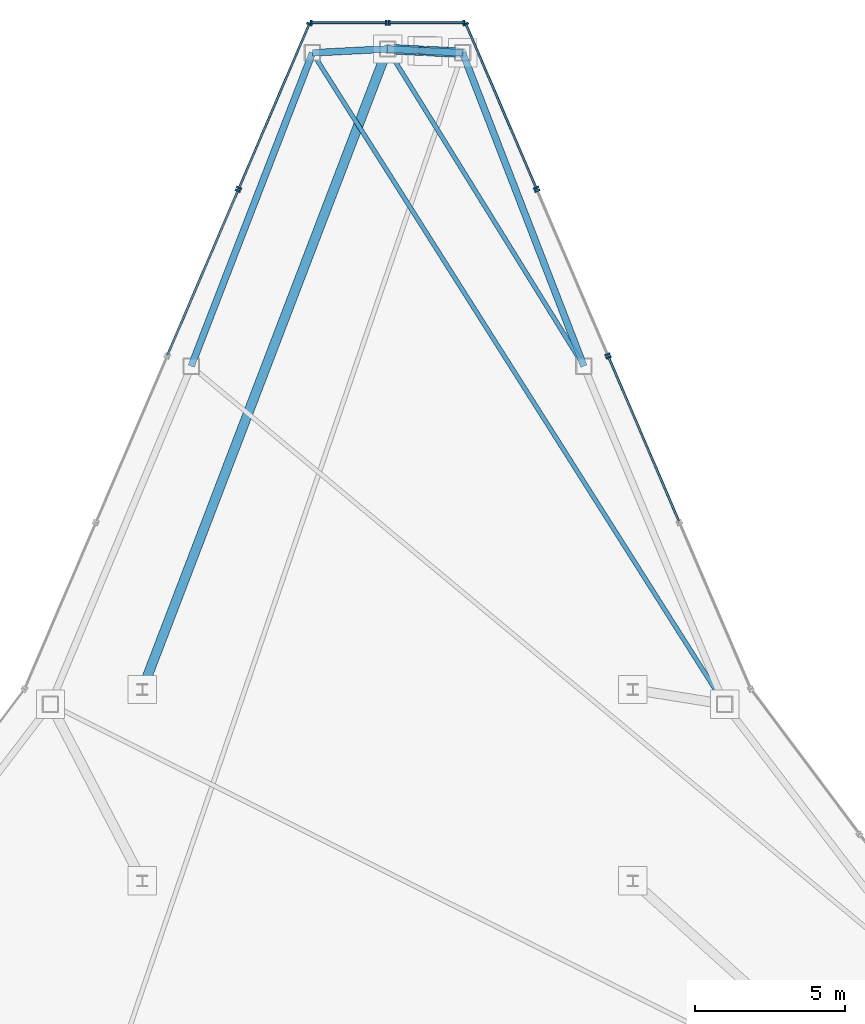
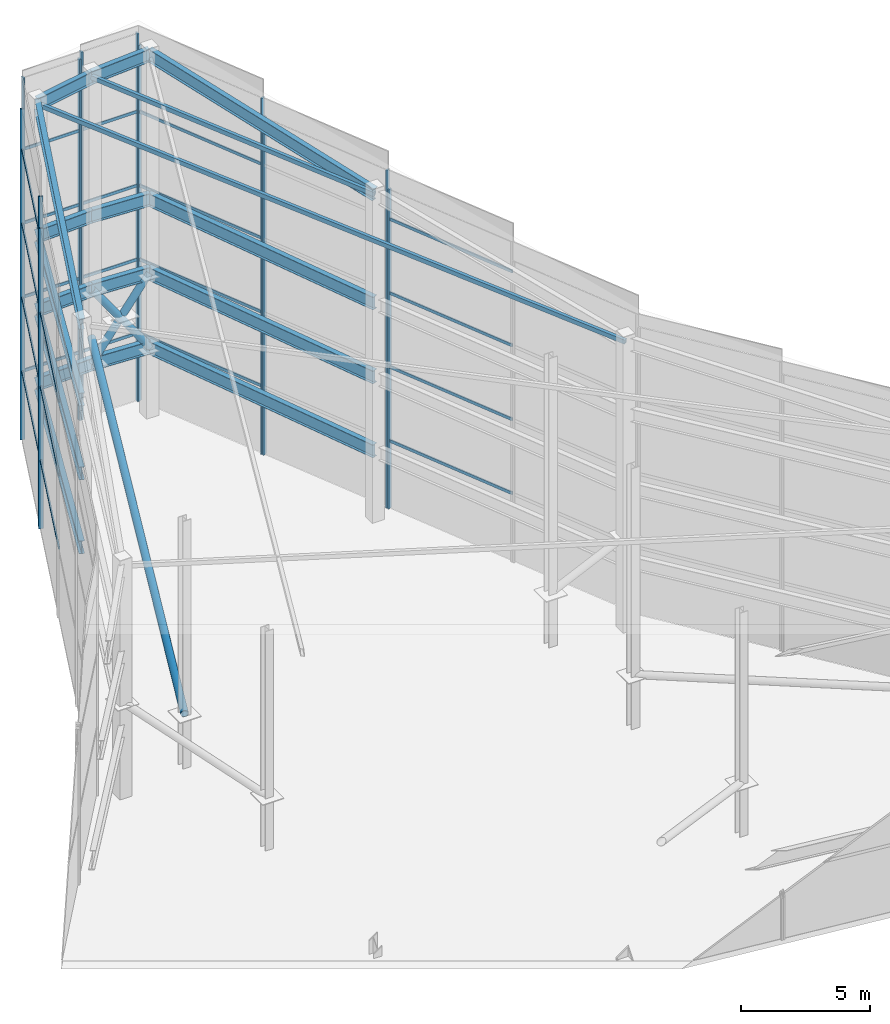
# One storey, part 13 of 17: 41 members, 16 beams, 7 elements without a shape of their own.
"""IFC4 building model written with IfcOpenShell, lengths in metres."""

from ifc_helpers import new_model, si_unit, direction, frame, origin, origin_2d, place, context, subcontext, project, spatial, rectangle, hollow_rectangle, hollow_circle, i_section, extrude, source, transform, mapped, material, layer, layer_set, material_profile, profile_set, type_object, type_shapes, element, aggregate, save


model = new_model("IFC4")

# Units and contexts
model_context = context("Model", 3, precision=1e-05, world=origin(), true_north=direction((0.0, 1.0)))
body_context = subcontext(model_context, "Body", "Model", "MODEL_VIEW")
ifc_project = project(units=[si_unit("LENGTHUNIT", "METRE"), si_unit("AREAUNIT", "SQUARE_METRE"), si_unit("VOLUMEUNIT", "CUBIC_METRE"), si_unit("PLANEANGLEUNIT", "RADIAN"), si_unit("MASSUNIT", "GRAM", prefix="KILO")], contexts=[model_context])

# Site, building, storey
site_placement = place(None, origin())
site = spatial("IfcSite", under=ifc_project, at=site_placement, CompositionType="ELEMENT")
building_placement = place(site_placement, origin())
building = spatial("IfcBuilding", under=site, at=building_placement, Name="Varakhsha Concourse Tower", CompositionType="ELEMENT")
storey_placement = place(building_placement, frame((0.0, 0.0, 294.800048828125)))
storey = spatial("IfcBuildingStorey", under=building, at=storey_placement, Name="RF", CompositionType="ELEMENT", Elevation=294.800048828125)

# Beams
ifc_material_1 = material(Name="Structural Steel ASTM A992 Grade 50", Category="steel")
ifc_material_profile_1 = material_profile(ifc_material_1, i_section(OverallWidth=0.22900390625, OverallDepth=0.612060546875, WebThickness=0.011962890625, FlangeThickness=0.02001953125, at=origin_2d()), Name="W24X84")
ifc_profile_set_1 = profile_set([ifc_material_profile_1], Name="Structural Steel ASTM A992 Grade 50")
beam_type = type_object("IfcBeamType", Name="BM-CROWN-W24X84", PredefinedType="BEAM", material=ifc_profile_set_1)
beam_1_placement = place(storey_placement, frame((42.510498046875, 52.48876953125, 17.03955078125), z_axis=(-0.992795651794, 0.05059077327, -0.108615686888), x_axis=(-0.050891858889, -0.998704169761, 0.0)))
element("IfcBeam", 1, at=beam_1_placement, inside=storey, type_object=beam_type, Name="Crown Frame Sloped Cap Ring 01", PredefinedType="BEAM", context=body_context, shape_type="SweptSolid", body=[
    extrude(i_section(OverallWidth=0.22900390625, OverallDepth=0.612060546875, WebThickness=0.011962890625, FlangeThickness=0.02001953125, at=origin_2d()), origin(), (0.0, 0.0, 1.0), 2.52880859375),
])
for number, where, z_axis, x_axis, name in (
    (2, (42.510498046875, 52.48876953125, 3.199951171875), (-0.998704169761, 0.050891858889, 0.0), (-0.050891858889, -0.998704169761, 0.0), "Crown Frame Ring Tier 1 01"),
    (3, (42.510498046875, 52.48876953125, 6.699951171875), (-0.998704169761, 0.050891858889, 0.0), (-0.050891858889, -0.998704169761, 0.0), "Crown Frame Ring Tier 2 01"),
    (4, (42.510498046875, 52.48876953125, 10.199951171875), (-0.998704169761, 0.050891858889, 0.0), (-0.050891858889, -0.998704169761, 0.0), "Crown Frame Ring Tier 3 01"),
):
    element("IfcBeam", number, at=place(storey_placement, frame(where, z_axis=z_axis, x_axis=x_axis)), inside=storey, type_object=beam_type, Name=name, PredefinedType="BEAM", context=body_context, shape_type="SweptSolid", body=[
        extrude(i_section(OverallWidth=0.22900390625, OverallDepth=0.612060546875, WebThickness=0.011962890625, FlangeThickness=0.02001953125, at=origin_2d()), origin(), (0.0, 0.0, 1.0), 2.513671875),
    ])
beam_2_placement = place(storey_placement, frame((40.0, 52.61669921875, 16.764892578125), z_axis=(-0.990315479835, -0.050464388936, -0.129339073171), x_axis=(0.050891858889, -0.998704169761, 0.0)))
element("IfcBeam", 5, at=beam_2_placement, inside=storey, type_object=beam_type, Name="Crown Frame Sloped Cap Ring 02", PredefinedType="BEAM", context=body_context, shape_type="SweptSolid", body=[
    extrude(i_section(OverallWidth=0.22900390625, OverallDepth=0.612060546875, WebThickness=0.011962890625, FlangeThickness=0.02001953125, at=origin_2d()), origin(), (0.0, 0.0, 1.0), 2.53515625),
])
for number, where, z_axis, x_axis, name in (
    (6, (40.0, 52.61669921875, 3.199951171875), (-0.998704169761, -0.050891858889, 0.0), (0.050891858889, -0.998704169761, 0.0), "Crown Frame Ring Tier 1 02"),
    (7, (40.0, 52.61669921875, 6.699951171875), (-0.998704169761, -0.050891858889, 0.0), (0.050891858889, -0.998704169761, 0.0), "Crown Frame Ring Tier 2 02"),
    (8, (40.0, 52.61669921875, 10.199951171875), (-0.998704169761, -0.050891858889, 0.0), (0.050891858889, -0.998704169761, 0.0), "Crown Frame Ring Tier 3 02"),
):
    element("IfcBeam", number, at=place(storey_placement, frame(where, z_axis=z_axis, x_axis=x_axis)), inside=storey, type_object=beam_type, Name=name, PredefinedType="BEAM", context=body_context, shape_type="SweptSolid", body=[
        extrude(i_section(OverallWidth=0.22900390625, OverallDepth=0.612060546875, WebThickness=0.011962890625, FlangeThickness=0.02001953125, at=origin_2d()), origin(), (0.0, 0.0, 1.0), 2.513671875),
    ])
beam_3_placement = place(storey_placement, frame((37.489501953125, 52.48876953125, 16.43701171875), z_axis=(-0.351063721323, -0.907455432361, -0.230822229971), x_axis=(0.93264051327, -0.360806974722, 0.0)))
element("IfcBeam", 9, at=beam_3_placement, inside=storey, type_object=beam_type, Name="Crown Frame Sloped Cap Ring 03", PredefinedType="BEAM", context=body_context, shape_type="SweptSolid", body=[
    extrude(i_section(OverallWidth=0.22900390625, OverallDepth=0.612060546875, WebThickness=0.011962890625, FlangeThickness=0.02001953125, at=origin_2d()), origin(), (0.0, 0.0, 1.0), 11.549072265625),
])
for number, where, z_axis, x_axis, name in (
    (10, (37.489501953125, 52.48876953125, 3.199951171875), (-0.360806974722, -0.93264051327, 0.0), (0.93264051327, -0.360806974722, 0.0), "Crown Frame Ring Tier 1 03"),
    (11, (37.489501953125, 52.48876953125, 6.699951171875), (-0.360806974722, -0.93264051327, 0.0), (0.93264051327, -0.360806974722, 0.0), "Crown Frame Ring Tier 2 03"),
    (12, (37.489501953125, 52.48876953125, 10.199951171875), (-0.360806974722, -0.93264051327, 0.0), (0.93264051327, -0.360806974722, 0.0), "Crown Frame Ring Tier 3 03"),
):
    element("IfcBeam", number, at=place(storey_placement, frame(where, z_axis=z_axis, x_axis=x_axis)), inside=storey, type_object=beam_type, Name=name, PredefinedType="BEAM", context=body_context, shape_type="SweptSolid", body=[
        extrude(i_section(OverallWidth=0.22900390625, OverallDepth=0.612060546875, WebThickness=0.011962890625, FlangeThickness=0.02001953125, at=origin_2d()), origin(), (0.0, 0.0, 1.0), 11.237060546875),
    ])
beam_4_placement = place(storey_placement, frame((46.56494140625, 42.008544921875, 15.347412109375), z_axis=(-0.356784494185, 0.922242908525, 0.148905481375), x_axis=(-0.93264051327, -0.360806974722, 0.0)))
element("IfcBeam", 13, at=beam_4_placement, inside=storey, type_object=beam_type, Name="Crown Frame Sloped Cap Ring 18", PredefinedType="BEAM", context=body_context, shape_type="SweptSolid", body=[
    extrude(i_section(OverallWidth=0.22900390625, OverallDepth=0.612060546875, WebThickness=0.011962890625, FlangeThickness=0.02001953125, at=origin_2d()), origin(), (0.0, 0.0, 1.0), 11.36376953125),
])
for number, where, z_axis, x_axis, name in (
    (14, (46.56494140625, 42.008544921875, 3.199951171875), (-0.360806974722, 0.93264051327, 0.0), (-0.93264051327, -0.360806974722, 0.0), "Crown Frame Ring Tier 1 18"),
    (15, (46.56494140625, 42.008544921875, 6.699951171875), (-0.360806974722, 0.93264051327, 0.0), (-0.93264051327, -0.360806974722, 0.0), "Crown Frame Ring Tier 2 18"),
    (16, (46.56494140625, 42.008544921875, 10.199951171875), (-0.360806974722, 0.93264051327, 0.0), (-0.93264051327, -0.360806974722, 0.0), "Crown Frame Ring Tier 3 18"),
):
    element("IfcBeam", number, at=place(storey_placement, frame(where, z_axis=z_axis, x_axis=x_axis)), inside=storey, type_object=beam_type, Name=name, PredefinedType="BEAM", context=body_context, shape_type="SweptSolid", body=[
        extrude(i_section(OverallWidth=0.22900390625, OverallDepth=0.612060546875, WebThickness=0.011962890625, FlangeThickness=0.02001953125, at=origin_2d()), origin(), (0.0, 0.0, 1.0), 11.237060546875),
    ])

# Members
ifc_material_2 = material(Name="Structural Steel ASTM A500 Grade C", Category="steel")
ifc_material_profile_2 = material_profile(ifc_material_2, hollow_circle(Radius=0.162109375, WallThickness=0.013916015625, at=origin_2d()), Name="CHS 324x14")
ifc_profile_set_2 = profile_set([ifc_material_profile_2], Name="Structural Steel ASTM A500 Grade C")
member_type_1 = type_object("IfcMemberType", Name="MB-CROWN-CHS324", PredefinedType="BRACE", material=ifc_profile_set_2)
shared_shape_1 = source(origin(), body_context, "Body", "SweptSolid", [
    extrude(hollow_circle(Radius=0.162109375, WallThickness=0.013916015625, at=origin_2d()), origin(), (0.0, 0.0, 1.0), 23.015625),
])
member_1_placement = place(storey_placement, frame((31.800048828125, 31.199951171875, 2.449951171875), z_axis=(0.356277710399, 0.93053114566, 0.08472296046), x_axis=(-0.933888899922, 0.357563312719, 0.0)))
element("IfcMember", 17, at=member_1_placement, inside=storey, type_object=member_type_1, Name="Crown Frame Radial Wind Brace CB05", PredefinedType="BRACE", context=body_context, shape_type="MappedRepresentation", body=[
    mapped(shared_shape_1, transform((0.0, 0.0, 0.0), scale=1.0)),
])
shared_shape_2 = source(origin(), body_context, "Body", "SweptSolid", [
    extrude(hollow_circle(Radius=0.162109375, WallThickness=0.013916015625, at=origin_2d()), origin(), (0.0, 0.0, 1.0), 4.30908203125),
])
member_2_placement = place(storey_placement, frame((42.510498046875, 52.48876953125, 3.199951171875), z_axis=(-0.582594019404, 0.029687762926, 0.812220933791), x_axis=(-0.050891858889, -0.998704169761, 0.0)))
element("IfcMember", 18, at=member_2_placement, inside=storey, type_object=member_type_1, Name="Crown Frame Continuous X-Brace Diagonal", PredefinedType="BRACE", context=body_context, shape_type="MappedRepresentation", body=[
    mapped(shared_shape_2, transform((0.0, 0.0, 0.0), scale=1.0)),
])
shared_shape_3 = source(origin(), body_context, "Body", "SweptSolid", [
    extrude(hollow_circle(Radius=0.162109375, WallThickness=0.013916015625, at=origin_2d()), origin(), (0.0, 0.0, 1.0), 1.989501953125),
])
type_shapes(member_type_1, [shared_shape_1, shared_shape_2, shared_shape_3])
for number, where, z_axis, x_axis, name in (
    (19, (40.0, 52.61669921875, 3.199951171875), (0.582617348293, -0.029695323986, 0.81220392341), (0.050902753731, 0.998703614524, 0.0), "Crown Frame Split X-Brace Lower Segment"),
    (20, (41.351318359375, 52.5478515625, 5.083984375), (0.582617348293, -0.029695323986, 0.81220392341), (0.050902753731, 0.998703614524, 0.0), "Crown Frame Split X-Brace Upper Segment"),
):
    element("IfcMember", number, at=place(storey_placement, frame(where, z_axis=z_axis, x_axis=x_axis)), inside=storey, type_object=member_type_1, Name=name, PredefinedType="BRACE", context=body_context, shape_type="MappedRepresentation", body=[
        mapped(shared_shape_3, transform((0.0, 0.0, 0.0), scale=1.0)),
    ])
ifc_material_profile_3 = material_profile(ifc_material_2, hollow_rectangle(XDim=0.14990234375, YDim=0.199951171875, WallThickness=0.010009765625, at=origin_2d()), Name="HSS 200x150x10")
ifc_profile_set_3 = profile_set([ifc_material_profile_3], Name="Structural Steel ASTM A500 Grade C")
member_type_2 = type_object("IfcMemberType", Name="MB-CROWN-PURLIN", PredefinedType="PURLIN", material=ifc_profile_set_3)
shared_shape_4 = source(origin(), body_context, "Body", "SweptSolid", [
    extrude(hollow_rectangle(XDim=0.14990234375, YDim=0.199951171875, WallThickness=0.010009765625, at=origin_2d()), origin(), (0.0, 0.0, 1.0), 12.555419921875),
])
member_3_placement = place(storey_placement, frame((40.0, 52.61669921875, 16.764892578125), z_axis=(0.522873647091, -0.844900812188, -0.112897151172), x_axis=(0.850337291147, 0.526238055717, 0.0)))
element("IfcMember", 21, at=member_3_placement, inside=storey, type_object=member_type_2, Name="Slanted Crown Roof Purlin PR01", PredefinedType="PURLIN", context=body_context, shape_type="MappedRepresentation", body=[
    mapped(shared_shape_4, transform((0.0, 0.0, 0.0), scale=1.0)),
])
shared_shape_5 = source(origin(), body_context, "Body", "SweptSolid", [
    extrude(hollow_rectangle(XDim=0.14990234375, YDim=0.199951171875, WallThickness=0.010009765625, at=origin_2d()), origin(), (0.0, 0.0, 1.0), 25.934814453125),
])
type_shapes(member_type_2, [shared_shape_4, shared_shape_5])
member_4_placement = place(storey_placement, frame((37.489501953125, 52.48876953125, 16.43701171875), z_axis=(0.531396786864, -0.839842262832, -0.110826118189), x_axis=(0.845047917035, 0.534690581472, 0.0)))
element("IfcMember", 22, at=member_4_placement, inside=storey, type_object=member_type_2, Name="Slanted Crown Roof Purlin PR02", PredefinedType="PURLIN", context=body_context, shape_type="MappedRepresentation", body=[
    mapped(shared_shape_5, transform((0.0, 0.0, 0.0), scale=1.0)),
])

# Curtain wall, members
ifc_material_3 = material(Name="Anodised Bronze Architectural Aluminium AA 6063-T6", Category="aluminium")
ifc_layer = layer(ifc_material_3, 0.219970703125, Name="CW-SYS-07")
ifc_layer_set = layer_set([ifc_layer], Name="Anodised Bronze Architectural Aluminium AA 6063-T6")
curtain_wall_type = type_object("IfcCurtainWallType", Name="CW-SYS-07", PredefinedType="NOTDEFINED", material=ifc_layer_set)
curtain_wall_1_placement = place(storey_placement, origin())
curtain_wall_1 = element("IfcCurtainWall", 23, at=curtain_wall_1_placement, inside=storey, type_object=curtain_wall_type, Name="Slanted Crown Curtain Wall F1-S1", PredefinedType="NOTDEFINED")
ifc_material_profile_4 = material_profile(ifc_material_3, rectangle(XDim=0.06494140625, YDim=0.179931640625, at=origin_2d()), Name="CWM-180X65")
ifc_profile_set_4 = profile_set([ifc_material_profile_4], Name="Anodised Bronze Architectural Aluminium AA 6063-T6")
member_type_3 = type_object("IfcMemberType", Name="CWM-180X65", PredefinedType="MULLION", material=ifc_profile_set_4)
shared_shape_6 = source(origin(), body_context, "Body", "SweptSolid", [
    extrude(rectangle(XDim=0.06494140625, YDim=0.179931640625, at=origin_2d()), origin(), (0.0, 0.0, 1.0), 17.41796875),
])
member_5_placement = place(storey_placement, frame((40.050048828125, 53.49658203125, 0.0), z_axis=(0.0, 0.0, 1.0), x_axis=(1.0, 0.0, 0.0)))
member_5 = element("IfcMember", 24, at=member_5_placement, type_object=member_type_3, Name="CW-RF-F1S1 Mullion 00", PredefinedType="MULLION", context=body_context, shape_type="MappedRepresentation", body=[
    mapped(shared_shape_6, transform((0.0, 0.0, 0.0), scale=1.0)),
])
member_6_placement = place(storey_placement, frame((42.550048828125, 53.49658203125, 0.0), z_axis=(0.0, 0.0, 1.0), x_axis=(1.0, 0.0, 0.0)))
member_6 = element("IfcMember", 25, at=member_6_placement, type_object=member_type_3, Name="CW-RF-F1S1 Mullion 01", PredefinedType="MULLION", context=body_context, shape_type="MappedRepresentation", body=[
    mapped(shared_shape_6, transform((0.0, 0.0, 0.0), scale=1.0)),
])
ifc_material_profile_5 = material_profile(ifc_material_3, rectangle(XDim=0.06005859375, YDim=0.139892578125, at=origin_2d()), Name="CWT-140X60")
ifc_profile_set_5 = profile_set([ifc_material_profile_5], Name="Anodised Bronze Architectural Aluminium AA 6063-T6")
member_type_4 = type_object("IfcMemberType", Name="CWT-140X60", PredefinedType="USERDEFINED", material=ifc_profile_set_5)
shared_shape_7 = source(origin(), body_context, "Body", "SweptSolid", [
    extrude(rectangle(XDim=0.06005859375, YDim=0.139892578125, at=origin_2d()), origin(), (0.0, 0.0, 1.0), 2.5),
])
member_7_placement = place(storey_placement, frame((40.050048828125, 53.49658203125, 3.199951171875), z_axis=(1.0, 0.0, 0.0), x_axis=(0.0, 1.0, 0.0)))
member_7 = element("IfcMember", 26, at=member_7_placement, type_object=member_type_4, Name="CW-RF-F1S1 Transom 01", ObjectType="TRANSOM", PredefinedType="USERDEFINED", context=body_context, shape_type="MappedRepresentation", body=[
    mapped(shared_shape_7, transform((0.0, 0.0, 0.0), scale=1.0)),
])
member_8_placement = place(storey_placement, frame((40.050048828125, 53.49658203125, 6.699951171875), z_axis=(1.0, 0.0, 0.0), x_axis=(0.0, 1.0, 0.0)))
member_8 = element("IfcMember", 27, at=member_8_placement, type_object=member_type_4, Name="CW-RF-F1S1 Transom 02", ObjectType="TRANSOM", PredefinedType="USERDEFINED", context=body_context, shape_type="MappedRepresentation", body=[
    mapped(shared_shape_7, transform((0.0, 0.0, 0.0), scale=1.0)),
])
member_9_placement = place(storey_placement, frame((40.050048828125, 53.49658203125, 10.199951171875), z_axis=(1.0, 0.0, 0.0), x_axis=(0.0, 1.0, 0.0)))
member_9 = element("IfcMember", 28, at=member_9_placement, type_object=member_type_4, Name="CW-RF-F1S1 Transom 03", ObjectType="TRANSOM", PredefinedType="USERDEFINED", context=body_context, shape_type="MappedRepresentation", body=[
    mapped(shared_shape_7, transform((0.0, 0.0, 0.0), scale=1.0)),
])
member_10_placement = place(storey_placement, frame((40.050048828125, 53.49658203125, 13.699951171875), z_axis=(1.0, 0.0, 0.0), x_axis=(0.0, 1.0, 0.0)))
member_10 = element("IfcMember", 29, at=member_10_placement, type_object=member_type_4, Name="CW-RF-F1S1 Transom 04", ObjectType="TRANSOM", PredefinedType="USERDEFINED", context=body_context, shape_type="MappedRepresentation", body=[
    mapped(shared_shape_7, transform((0.0, 0.0, 0.0), scale=1.0)),
])
aggregate(curtain_wall_1, [member_5, member_6, member_7, member_8, member_9, member_10])

curtain_wall_2_placement = place(storey_placement, origin())
curtain_wall_2 = element("IfcCurtainWall", 30, at=curtain_wall_2_placement, inside=storey, type_object=curtain_wall_type, Name="Slanted Crown Curtain Wall F1-S2", PredefinedType="NOTDEFINED")
member_11_placement = place(storey_placement, frame((37.449951171875, 53.49658203125, 3.199951171875), z_axis=(1.0, 0.0, 0.0), x_axis=(0.0, 1.0, 0.0)))
member_11 = element("IfcMember", 31, at=member_11_placement, type_object=member_type_4, Name="CW-RF-F1S2 Transom 01", ObjectType="TRANSOM", PredefinedType="USERDEFINED", context=body_context, shape_type="MappedRepresentation", body=[
    mapped(shared_shape_7, transform((0.0, 0.0, 0.0), scale=1.0)),
])
member_12_placement = place(storey_placement, frame((37.449951171875, 53.49658203125, 6.699951171875), z_axis=(1.0, 0.0, 0.0), x_axis=(0.0, 1.0, 0.0)))
member_12 = element("IfcMember", 32, at=member_12_placement, type_object=member_type_4, Name="CW-RF-F1S2 Transom 02", ObjectType="TRANSOM", PredefinedType="USERDEFINED", context=body_context, shape_type="MappedRepresentation", body=[
    mapped(shared_shape_7, transform((0.0, 0.0, 0.0), scale=1.0)),
])
member_13_placement = place(storey_placement, frame((37.449951171875, 53.49658203125, 10.199951171875), z_axis=(1.0, 0.0, 0.0), x_axis=(0.0, 1.0, 0.0)))
member_13 = element("IfcMember", 33, at=member_13_placement, type_object=member_type_4, Name="CW-RF-F1S2 Transom 03", ObjectType="TRANSOM", PredefinedType="USERDEFINED", context=body_context, shape_type="MappedRepresentation", body=[
    mapped(shared_shape_7, transform((0.0, 0.0, 0.0), scale=1.0)),
])
member_14_placement = place(storey_placement, frame((37.449951171875, 53.49658203125, 13.699951171875), z_axis=(1.0, 0.0, 0.0), x_axis=(0.0, 1.0, 0.0)))
member_14 = element("IfcMember", 34, at=member_14_placement, type_object=member_type_4, Name="CW-RF-F1S2 Transom 04", ObjectType="TRANSOM", PredefinedType="USERDEFINED", context=body_context, shape_type="MappedRepresentation", body=[
    mapped(shared_shape_7, transform((0.0, 0.0, 0.0), scale=1.0)),
])
shared_shape_8 = source(origin(), body_context, "Body", "SweptSolid", [
    extrude(rectangle(XDim=0.06494140625, YDim=0.179931640625, at=origin_2d()), origin(), (0.0, 0.0, 1.0), 17.105712890625),
])
member_15_placement = place(storey_placement, frame((37.449951171875, 53.49658203125, 0.0), z_axis=(0.0, 0.0, 1.0), x_axis=(1.0, 0.0, 0.0)))
member_15 = element("IfcMember", 35, at=member_15_placement, type_object=member_type_3, Name="CW-RF-F1S2 Mullion 00", PredefinedType="MULLION", context=body_context, shape_type="MappedRepresentation", body=[
    mapped(shared_shape_8, transform((0.0, 0.0, 0.0), scale=1.0)),
])
member_16_placement = place(storey_placement, frame((39.949951171875, 53.49658203125, 0.0), z_axis=(0.0, 0.0, 1.0), x_axis=(1.0, 0.0, 0.0)))
member_16 = element("IfcMember", 36, at=member_16_placement, type_object=member_type_3, Name="CW-RF-F1S2 Mullion 01", PredefinedType="MULLION", context=body_context, shape_type="MappedRepresentation", body=[
    mapped(shared_shape_8, transform((0.0, 0.0, 0.0), scale=1.0)),
])
aggregate(curtain_wall_2, [member_15, member_16, member_11, member_12, member_13, member_14])

curtain_wall_3_placement = place(storey_placement, origin())
curtain_wall_3 = element("IfcCurtainWall", 37, at=curtain_wall_3_placement, inside=storey, type_object=curtain_wall_type, Name="Slanted Crown Curtain Wall F2-S1", PredefinedType="NOTDEFINED")
shared_shape_9 = source(origin(), body_context, "Body", "SweptSolid", [
    extrude(rectangle(XDim=0.06494140625, YDim=0.179931640625, at=origin_2d()), origin(), (0.0, 0.0, 1.0), 15.660888671875),
])
member_17_placement = place(storey_placement, frame((35.03271484375, 47.971923828125, 0.0), z_axis=(0.0, 0.0, 1.0), x_axis=(0.393840843001, 0.919178649874, 0.0)))
member_17 = element("IfcMember", 38, at=member_17_placement, type_object=member_type_3, Name="CW-RF-F2S1 Mullion 00", PredefinedType="MULLION", context=body_context, shape_type="MappedRepresentation", body=[
    mapped(shared_shape_9, transform((0.0, 0.0, 0.0), scale=1.0)),
])
member_18_placement = place(storey_placement, frame((37.38037109375, 53.45068359375, 0.0), z_axis=(0.0, 0.0, 1.0), x_axis=(0.393840843001, 0.919178649874, 0.0)))
member_18 = element("IfcMember", 39, at=member_18_placement, type_object=member_type_3, Name="CW-RF-F2S1 Mullion 01", PredefinedType="MULLION", context=body_context, shape_type="MappedRepresentation", body=[
    mapped(shared_shape_9, transform((0.0, 0.0, 0.0), scale=1.0)),
])
shared_shape_10 = source(origin(), body_context, "Body", "SweptSolid", [
    extrude(rectangle(XDim=0.06005859375, YDim=0.139892578125, at=origin_2d()), origin(), (0.0, 0.0, 1.0), 5.96044921875),
])
type_shapes(member_type_4, [shared_shape_7, shared_shape_10])
member_19_placement = place(storey_placement, frame((35.03271484375, 47.971923828125, 3.199951171875), z_axis=(0.393864920848, 0.919168332856, 0.0), x_axis=(-0.919168332856, 0.393864920848, 0.0)))
member_19 = element("IfcMember", 40, at=member_19_placement, type_object=member_type_4, Name="CW-RF-F2S1 Transom 01", ObjectType="TRANSOM", PredefinedType="USERDEFINED", context=body_context, shape_type="MappedRepresentation", body=[
    mapped(shared_shape_10, transform((0.0, 0.0, 0.0), scale=1.0)),
])
member_20_placement = place(storey_placement, frame((35.03271484375, 47.971923828125, 6.699951171875), z_axis=(0.393864920848, 0.919168332856, 0.0), x_axis=(-0.919168332856, 0.393864920848, 0.0)))
member_20 = element("IfcMember", 41, at=member_20_placement, type_object=member_type_4, Name="CW-RF-F2S1 Transom 02", ObjectType="TRANSOM", PredefinedType="USERDEFINED", context=body_context, shape_type="MappedRepresentation", body=[
    mapped(shared_shape_10, transform((0.0, 0.0, 0.0), scale=1.0)),
])
member_21_placement = place(storey_placement, frame((35.03271484375, 47.971923828125, 10.199951171875), z_axis=(0.393864920848, 0.919168332856, 0.0), x_axis=(-0.919168332856, 0.393864920848, 0.0)))
member_21 = element("IfcMember", 42, at=member_21_placement, type_object=member_type_4, Name="CW-RF-F2S1 Transom 03", ObjectType="TRANSOM", PredefinedType="USERDEFINED", context=body_context, shape_type="MappedRepresentation", body=[
    mapped(shared_shape_10, transform((0.0, 0.0, 0.0), scale=1.0)),
])
member_22_placement = place(storey_placement, frame((35.03271484375, 47.971923828125, 13.699951171875), z_axis=(0.393864920848, 0.919168332856, 0.0), x_axis=(-0.919168332856, 0.393864920848, 0.0)))
member_22 = element("IfcMember", 43, at=member_22_placement, type_object=member_type_4, Name="CW-RF-F2S1 Transom 04", ObjectType="TRANSOM", PredefinedType="USERDEFINED", context=body_context, shape_type="MappedRepresentation", body=[
    mapped(shared_shape_10, transform((0.0, 0.0, 0.0), scale=1.0)),
])
aggregate(curtain_wall_3, [member_17, member_18, member_19, member_20, member_21, member_22])

curtain_wall_4_placement = place(storey_placement, origin())
curtain_wall_4 = element("IfcCurtainWall", 44, at=curtain_wall_4_placement, inside=storey, type_object=curtain_wall_type, Name="Slanted Crown Curtain Wall F2-S2", PredefinedType="NOTDEFINED")
member_23_placement = place(storey_placement, frame((32.645751953125, 42.401123046875, 3.199951171875), z_axis=(0.393864920848, 0.919168332856, 0.0), x_axis=(-0.919168332856, 0.393864920848, 0.0)))
member_23 = element("IfcMember", 45, at=member_23_placement, type_object=member_type_4, Name="CW-RF-F2S2 Transom 01", ObjectType="TRANSOM", PredefinedType="USERDEFINED", context=body_context, shape_type="MappedRepresentation", body=[
    mapped(shared_shape_10, transform((0.0, 0.0, 0.0), scale=1.0)),
])
member_24_placement = place(storey_placement, frame((32.645751953125, 42.401123046875, 6.699951171875), z_axis=(0.393864920848, 0.919168332856, 0.0), x_axis=(-0.919168332856, 0.393864920848, 0.0)))
member_24 = element("IfcMember", 46, at=member_24_placement, type_object=member_type_4, Name="CW-RF-F2S2 Transom 02", ObjectType="TRANSOM", PredefinedType="USERDEFINED", context=body_context, shape_type="MappedRepresentation", body=[
    mapped(shared_shape_10, transform((0.0, 0.0, 0.0), scale=1.0)),
])
member_25_placement = place(storey_placement, frame((32.645751953125, 42.401123046875, 10.199951171875), z_axis=(0.393864920848, 0.919168332856, 0.0), x_axis=(-0.919168332856, 0.393864920848, 0.0)))
member_25 = element("IfcMember", 47, at=member_25_placement, type_object=member_type_4, Name="CW-RF-F2S2 Transom 03", ObjectType="TRANSOM", PredefinedType="USERDEFINED", context=body_context, shape_type="MappedRepresentation", body=[
    mapped(shared_shape_10, transform((0.0, 0.0, 0.0), scale=1.0)),
])

curtain_wall_5_placement = place(storey_placement, origin())
curtain_wall_5 = element("IfcCurtainWall", 48, at=curtain_wall_5_placement, inside=storey, type_object=curtain_wall_type, Name="Slanted Crown Curtain Wall F9-S2", PredefinedType="NOTDEFINED")
member_26_placement = place(storey_placement, frame((47.3935546875, 42.30908203125, 3.199951171875), z_axis=(0.393864920848, -0.919168332856, 0.0), x_axis=(0.919168332856, 0.393864920848, 0.0)))
member_26 = element("IfcMember", 49, at=member_26_placement, type_object=member_type_4, Name="CW-RF-F9S2 Transom 01", ObjectType="TRANSOM", PredefinedType="USERDEFINED", context=body_context, shape_type="MappedRepresentation", body=[
    mapped(shared_shape_10, transform((0.0, 0.0, 0.0), scale=1.0)),
])
member_27_placement = place(storey_placement, frame((47.3935546875, 42.30908203125, 6.699951171875), z_axis=(0.393864920848, -0.919168332856, 0.0), x_axis=(0.919168332856, 0.393864920848, 0.0)))
member_27 = element("IfcMember", 50, at=member_27_placement, type_object=member_type_4, Name="CW-RF-F9S2 Transom 02", ObjectType="TRANSOM", PredefinedType="USERDEFINED", context=body_context, shape_type="MappedRepresentation", body=[
    mapped(shared_shape_10, transform((0.0, 0.0, 0.0), scale=1.0)),
])
member_28_placement = place(storey_placement, frame((47.3935546875, 42.30908203125, 10.199951171875), z_axis=(0.393864920848, -0.919168332856, 0.0), x_axis=(0.919168332856, 0.393864920848, 0.0)))
member_28 = element("IfcMember", 51, at=member_28_placement, type_object=member_type_4, Name="CW-RF-F9S2 Transom 03", ObjectType="TRANSOM", PredefinedType="USERDEFINED", context=body_context, shape_type="MappedRepresentation", body=[
    mapped(shared_shape_10, transform((0.0, 0.0, 0.0), scale=1.0)),
])
member_29_placement = place(storey_placement, frame((47.3935546875, 42.30908203125, 13.699951171875), z_axis=(0.393864920848, -0.919168332856, 0.0), x_axis=(0.919168332856, 0.393864920848, 0.0)))
member_29 = element("IfcMember", 52, at=member_29_placement, type_object=member_type_4, Name="CW-RF-F9S2 Transom 04", ObjectType="TRANSOM", PredefinedType="USERDEFINED", context=body_context, shape_type="MappedRepresentation", body=[
    mapped(shared_shape_10, transform((0.0, 0.0, 0.0), scale=1.0)),
])

curtain_wall_6_placement = place(storey_placement, origin())
curtain_wall_6 = element("IfcCurtainWall", 53, at=curtain_wall_6_placement, inside=storey, type_object=curtain_wall_type, Name="Slanted Crown Curtain Wall F9-S4", PredefinedType="NOTDEFINED")
member_30_placement = place(storey_placement, frame((42.61962890625, 53.45068359375, 3.199951171875), z_axis=(0.393864920848, -0.919168332856, 0.0), x_axis=(0.919168332856, 0.393864920848, 0.0)))
member_30 = element("IfcMember", 54, at=member_30_placement, type_object=member_type_4, Name="CW-RF-F9S4 Transom 01", ObjectType="TRANSOM", PredefinedType="USERDEFINED", context=body_context, shape_type="MappedRepresentation", body=[
    mapped(shared_shape_10, transform((0.0, 0.0, 0.0), scale=1.0)),
])
member_31_placement = place(storey_placement, frame((42.61962890625, 53.45068359375, 6.699951171875), z_axis=(0.393864920848, -0.919168332856, 0.0), x_axis=(0.919168332856, 0.393864920848, 0.0)))
member_31 = element("IfcMember", 55, at=member_31_placement, type_object=member_type_4, Name="CW-RF-F9S4 Transom 02", ObjectType="TRANSOM", PredefinedType="USERDEFINED", context=body_context, shape_type="MappedRepresentation", body=[
    mapped(shared_shape_10, transform((0.0, 0.0, 0.0), scale=1.0)),
])
member_32_placement = place(storey_placement, frame((42.61962890625, 53.45068359375, 10.199951171875), z_axis=(0.393864920848, -0.919168332856, 0.0), x_axis=(0.919168332856, 0.393864920848, 0.0)))
member_32 = element("IfcMember", 56, at=member_32_placement, type_object=member_type_4, Name="CW-RF-F9S4 Transom 03", ObjectType="TRANSOM", PredefinedType="USERDEFINED", context=body_context, shape_type="MappedRepresentation", body=[
    mapped(shared_shape_10, transform((0.0, 0.0, 0.0), scale=1.0)),
])
member_33_placement = place(storey_placement, frame((42.61962890625, 53.45068359375, 13.699951171875), z_axis=(0.393864920848, -0.919168332856, 0.0), x_axis=(0.919168332856, 0.393864920848, 0.0)))
member_33 = element("IfcMember", 57, at=member_33_placement, type_object=member_type_4, Name="CW-RF-F9S4 Transom 04", ObjectType="TRANSOM", PredefinedType="USERDEFINED", context=body_context, shape_type="MappedRepresentation", body=[
    mapped(shared_shape_10, transform((0.0, 0.0, 0.0), scale=1.0)),
])

# Member
shared_shape_11 = source(origin(), body_context, "Body", "SweptSolid", [
    extrude(rectangle(XDim=0.06494140625, YDim=0.179931640625, at=origin_2d()), origin(), (0.0, 0.0, 1.0), 14.216064453125),
])
member_34_placement = place(storey_placement, frame((34.993408203125, 47.8798828125, 0.0), z_axis=(0.0, 0.0, 1.0), x_axis=(0.393855281377, 0.919172463323, 0.0)))
member_34 = element("IfcMember", 58, at=member_34_placement, type_object=member_type_3, Name="CW-RF-F2S2 Mullion 01", PredefinedType="MULLION", context=body_context, shape_type="MappedRepresentation", body=[
    mapped(shared_shape_11, transform((0.0, 0.0, 0.0), scale=1.0)),
])

aggregate(curtain_wall_4, [member_34, member_23, member_24, member_25])

shared_shape_12 = source(origin(), body_context, "Body", "SweptSolid", [
    extrude(rectangle(XDim=0.06494140625, YDim=0.179931640625, at=origin_2d()), origin(), (0.0, 0.0, 1.0), 15.11474609375),
])
member_35_placement = place(storey_placement, frame((47.3935546875, 42.30908203125, 0.0), z_axis=(0.0, 0.0, 1.0), x_axis=(0.393840843001, -0.919178649874, 0.0)))
member_35 = element("IfcMember", 59, at=member_35_placement, type_object=member_type_3, Name="CW-RF-F9S2 Mullion 00", PredefinedType="MULLION", context=body_context, shape_type="MappedRepresentation", body=[
    mapped(shared_shape_12, transform((0.0, 0.0, 0.0), scale=1.0)),
])

aggregate(curtain_wall_5, [member_35, member_26, member_27, member_28, member_29])

# Curtain wall, members
curtain_wall_7_placement = place(storey_placement, origin())
curtain_wall_7 = element("IfcCurtainWall", 60, at=curtain_wall_7_placement, inside=storey, type_object=curtain_wall_type, Name="Slanted Crown Curtain Wall F9-S3", PredefinedType="NOTDEFINED")
shared_shape_13 = source(origin(), body_context, "Body", "SweptSolid", [
    extrude(rectangle(XDim=0.06494140625, YDim=0.179931640625, at=origin_2d()), origin(), (0.0, 0.0, 1.0), 15.986572265625),
])
member_36_placement = place(storey_placement, frame((45.006591796875, 47.8798828125, 0.0), z_axis=(0.0, 0.0, 1.0), x_axis=(0.393855281377, -0.919172463323, 0.0)))
member_36 = element("IfcMember", 61, at=member_36_placement, type_object=member_type_3, Name="CW-RF-F9S3 Mullion 00", PredefinedType="MULLION", context=body_context, shape_type="MappedRepresentation", body=[
    mapped(shared_shape_13, transform((0.0, 0.0, 0.0), scale=1.0)),
])
member_37_placement = place(storey_placement, frame((47.354248046875, 42.401123046875, 0.0), z_axis=(0.0, 0.0, 1.0), x_axis=(0.393855281377, -0.919172463323, 0.0)))
member_37 = element("IfcMember", 62, at=member_37_placement, type_object=member_type_3, Name="CW-RF-F9S3 Mullion 01", PredefinedType="MULLION", context=body_context, shape_type="MappedRepresentation", body=[
    mapped(shared_shape_13, transform((0.0, 0.0, 0.0), scale=1.0)),
])
aggregate(curtain_wall_7, [member_36, member_37])

# Member
shared_shape_14 = source(origin(), body_context, "Body", "SweptSolid", [
    extrude(rectangle(XDim=0.06494140625, YDim=0.179931640625, at=origin_2d()), origin(), (0.0, 0.0, 1.0), 16.858154296875),
])
type_shapes(member_type_3, [shared_shape_6, shared_shape_8, shared_shape_9, shared_shape_11, shared_shape_12, shared_shape_13, shared_shape_14])
member_38_placement = place(storey_placement, frame((42.61962890625, 53.45068359375, 0.0), z_axis=(0.0, 0.0, 1.0), x_axis=(0.393840843001, -0.919178649874, 0.0)))
member_38 = element("IfcMember", 63, at=member_38_placement, type_object=member_type_3, Name="CW-RF-F9S4 Mullion 00", PredefinedType="MULLION", context=body_context, shape_type="MappedRepresentation", body=[
    mapped(shared_shape_14, transform((0.0, 0.0, 0.0), scale=1.0)),
])

member_39_placement = place(storey_placement, frame((44.96728515625, 47.971923828125, 0.0), z_axis=(0.0, 0.0, 1.0), x_axis=(0.393840843001, -0.919178649874, 0.0)))
member_39 = element("IfcMember", 64, at=member_39_placement, type_object=member_type_3, Name="CW-RF-F9S4 Mullion 01", PredefinedType="MULLION", context=body_context, shape_type="MappedRepresentation", body=[
    mapped(shared_shape_14, transform((0.0, 0.0, 0.0), scale=1.0)),
])

aggregate(curtain_wall_6, [member_38, member_39, member_30, member_31, member_32, member_33])

save(model, "model.ifc")
